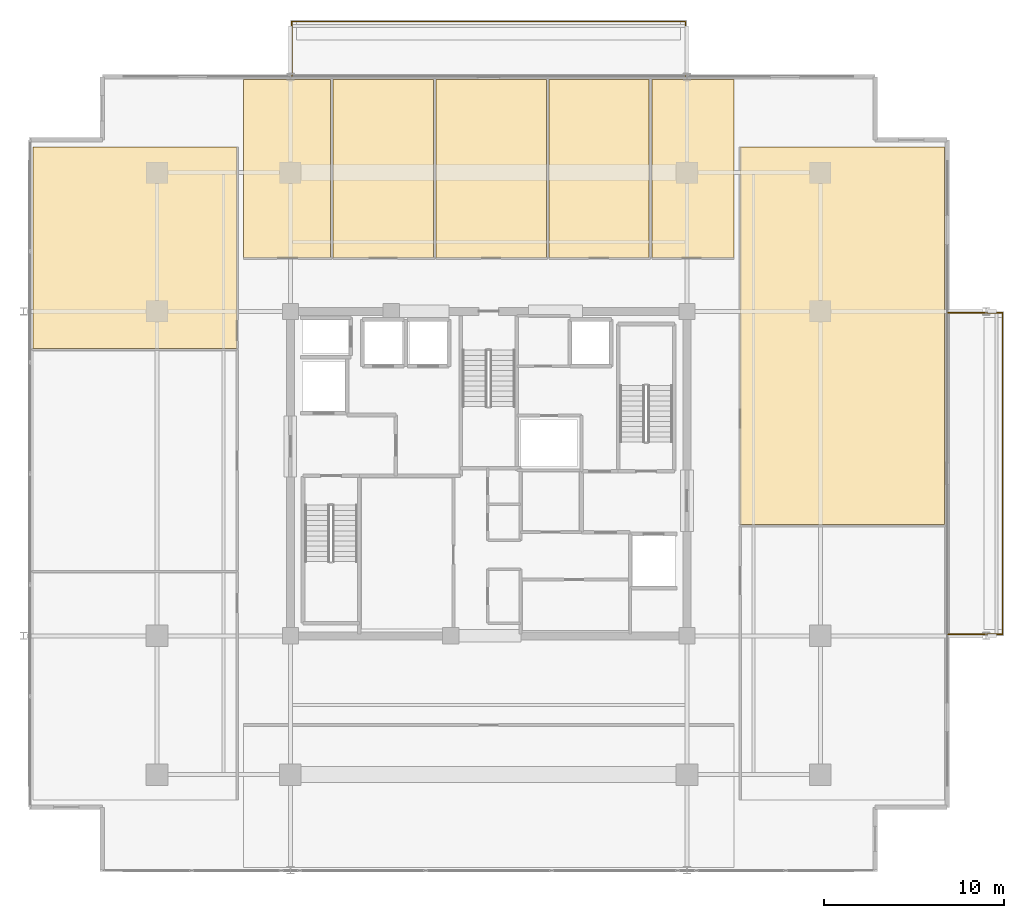
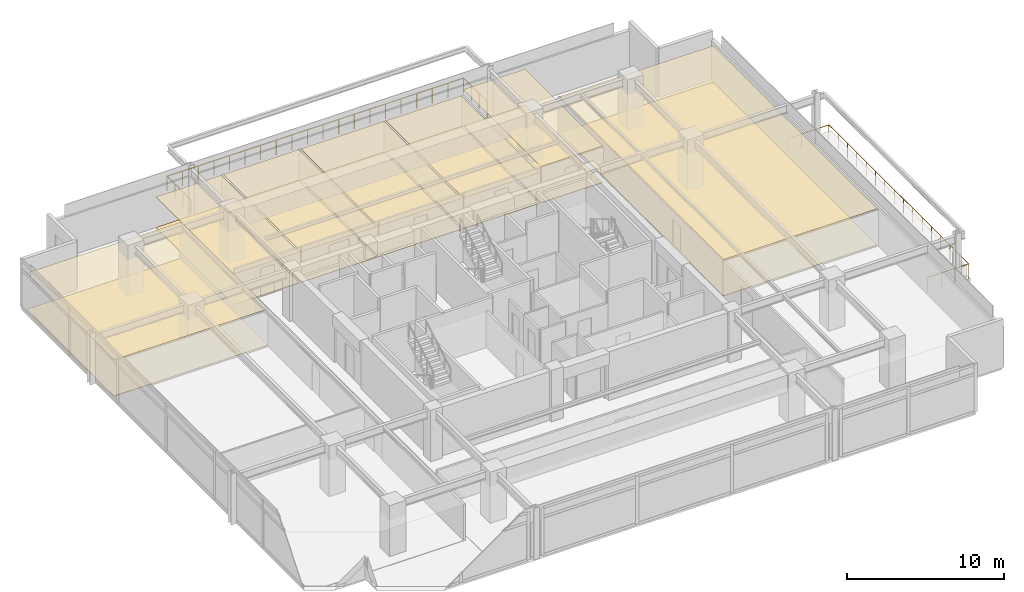
# One storey, part 20 of 20: 14 coverings, 2 railings.
"""IFC4 building model written with IfcOpenShell, lengths in metres."""

from ifc_helpers import new_model, si_unit, direction, frame, origin, origin_2d, place, context, subcontext, project, spatial, polyline, circle, outline, extrude, material, layer, layer_set, type_object, element, save


model = new_model("IFC4")

# Units and contexts
model_context = context("Model", 3, precision=1e-05, world=origin(), true_north=direction((0.0, 1.0)))
body_context = subcontext(model_context, "Body", "Model", "MODEL_VIEW")
ifc_project = project(units=[si_unit("LENGTHUNIT", "METRE"), si_unit("AREAUNIT", "SQUARE_METRE"), si_unit("VOLUMEUNIT", "CUBIC_METRE"), si_unit("PLANEANGLEUNIT", "RADIAN"), si_unit("MASSUNIT", "GRAM", prefix="KILO")], contexts=[model_context])

# Site, building, storey
site_placement = place(None, origin())
site = spatial("IfcSite", under=ifc_project, at=site_placement, CompositionType="ELEMENT")
building_placement = place(site_placement, origin())
building = spatial("IfcBuilding", under=site, at=building_placement, Name="Kovane Verandah Tower", CompositionType="ELEMENT")
storey_placement = place(building_placement, frame((0.0, 0.0, 287.199951171875)))
storey = spatial("IfcBuildingStorey", under=building, at=storey_placement, Name="L67", CompositionType="ELEMENT", Elevation=287.199951171875)

# Coverings
ifc_material_1 = material(Name="Perforated Acoustic Mineral-Fibre Ceiling Tile", Category="gypsum")
ifc_layer_1 = layer(ifc_material_1, 0.02490234375)
ifc_layer_set_1 = layer_set([ifc_layer_1], Name="Perforated Acoustic Mineral-Fibre Ceiling Tile")
covering_type_1 = type_object("IfcCoveringType", Name="CV-CEIL-25", PredefinedType="CEILING", material=ifc_layer_set_1)
covering_1_placement = place(storey_placement, frame((0.0, 0.0, 2.39013671875)))
element("IfcCovering", 1, at=covering_1_placement, inside=storey, type_object=covering_type_1, Name="L67 Executive Office N1 Acoustic Ceiling", PredefinedType="CEILING", context=body_context, shape_type="SweptSolid", body=[
    extrude(outline(polyline([(26.39990234375, 39.449951171875), (31.22607421875, 39.449951171875), (31.22607421875, 49.3642578125), (26.39990234375, 49.3642578125), (26.39990234375, 39.449951171875)])), origin(), (0.0, 0.0, 1.0), 0.02490234375),
])
covering_2_placement = place(storey_placement, frame((0.0, 0.0, 2.39013671875)))
element("IfcCovering", 2, at=covering_2_placement, inside=storey, type_object=covering_type_1, Name="L67 Client Boardroom N2 Acoustic Ceiling", PredefinedType="CEILING", context=body_context, shape_type="SweptSolid", body=[
    extrude(outline(polyline([(31.365966796875, 39.449951171875), (36.93798828125, 39.449951171875), (36.93798828125, 49.3642578125), (31.365966796875, 49.3642578125), (31.365966796875, 39.449951171875)])), origin(), (0.0, 0.0, 1.0), 0.02490234375),
])
covering_3_placement = place(storey_placement, frame((0.0, 0.0, 2.39013671875)))
element("IfcCovering", 3, at=covering_3_placement, inside=storey, type_object=covering_type_1, Name="L67 Meeting Room N3 Acoustic Ceiling", PredefinedType="CEILING", context=body_context, shape_type="SweptSolid", body=[
    extrude(outline(polyline([(37.077880859375, 39.449951171875), (43.194091796875, 39.449951171875), (43.194091796875, 49.3642578125), (37.077880859375, 49.3642578125), (37.077880859375, 39.449951171875)])), origin(), (0.0, 0.0, 1.0), 0.02490234375),
])
covering_4_placement = place(storey_placement, frame((0.0, 0.0, 2.39013671875)))
element("IfcCovering", 4, at=covering_4_placement, inside=storey, type_object=covering_type_1, Name="L67 Focus Studio N4 Acoustic Ceiling", PredefinedType="CEILING", context=body_context, shape_type="SweptSolid", body=[
    extrude(outline(polyline([(43.333984375, 39.449951171875), (48.906005859375, 39.449951171875), (48.906005859375, 49.3642578125), (43.333984375, 49.3642578125), (43.333984375, 39.449951171875)])), origin(), (0.0, 0.0, 1.0), 0.02490234375),
])
covering_5_placement = place(storey_placement, frame((0.0, 0.0, 2.824951171875)))
element("IfcCovering", 5, at=covering_5_placement, inside=storey, type_object=covering_type_1, Name="L67 Breakout Pantry N5 Acoustic Ceiling", PredefinedType="CEILING", context=body_context, shape_type="SweptSolid", body=[
    extrude(outline(polyline([(49.0458984375, 39.449951171875), (53.60009765625, 39.449951171875), (53.60009765625, 49.3642578125), (49.0458984375, 49.3642578125), (49.0458984375, 39.449951171875)])), origin(), (0.0, 0.0, 1.0), 0.025146484375),
])
covering_6_placement = place(storey_placement, frame((0.0, 0.0, 2.824951171875)))
element("IfcCovering", 6, at=covering_6_placement, inside=storey, type_object=covering_type_1, Name="L67 Executive Office W3 Acoustic Ceiling", PredefinedType="CEILING", context=body_context, shape_type="SweptSolid", body=[
    extrude(outline(polyline([(14.712646484375, 34.453369140625), (26.050048828125, 34.453369140625), (26.050048828125, 45.6142578125), (14.712646484375, 45.6142578125), (14.712646484375, 34.453369140625)])), origin(), (0.0, 0.0, 1.0), 0.025146484375),
])
covering_7_placement = place(storey_placement, frame((0.0, 0.0, 2.824951171875)))
element("IfcCovering", 7, at=covering_7_placement, inside=storey, type_object=covering_type_1, Name="L67 Meeting Room E2 Acoustic Ceiling", PredefinedType="CEILING", context=body_context, shape_type="SweptSolid", body=[
    extrude(outline(polyline([(53.949951171875, 24.671630859375), (65.287353515625, 24.671630859375), (65.287353515625, 45.6142578125), (53.949951171875, 45.6142578125), (53.949951171875, 24.671630859375)])), origin(), (0.0, 0.0, 1.0), 0.025146484375),
])
ifc_material_2 = material(Name="Polished Terrazzo and Raised-Access Carpet Tile Finish", Category="concrete")
ifc_layer_2 = layer(ifc_material_2, 0.030029296875)
ifc_layer_set_2 = layer_set([ifc_layer_2], Name="Polished Terrazzo and Raised-Access Carpet Tile Finish")
covering_type_2 = type_object("IfcCoveringType", Name="CV-FLOR-30", PredefinedType="FLOORING", material=ifc_layer_set_2)
covering_8_placement = place(storey_placement, origin())
element("IfcCovering", 8, at=covering_8_placement, inside=storey, type_object=covering_type_2, Name="L67 Executive Office N1 Floor Finish", PredefinedType="FLOORING", context=body_context, shape_type="SweptSolid", body=[
    extrude(outline(polyline([(26.39990234375, 39.449951171875), (31.22607421875, 39.449951171875), (31.22607421875, 49.3642578125), (26.39990234375, 49.3642578125), (26.39990234375, 39.449951171875)])), origin(), (0.0, 0.0, 1.0), 0.030029296875),
])
covering_9_placement = place(storey_placement, origin())
element("IfcCovering", 9, at=covering_9_placement, inside=storey, type_object=covering_type_2, Name="L67 Client Boardroom N2 Floor Finish", PredefinedType="FLOORING", context=body_context, shape_type="SweptSolid", body=[
    extrude(outline(polyline([(31.365966796875, 39.449951171875), (36.93798828125, 39.449951171875), (36.93798828125, 49.3642578125), (31.365966796875, 49.3642578125), (31.365966796875, 39.449951171875)])), origin(), (0.0, 0.0, 1.0), 0.030029296875),
])
covering_10_placement = place(storey_placement, origin())
element("IfcCovering", 10, at=covering_10_placement, inside=storey, type_object=covering_type_2, Name="L67 Meeting Room N3 Floor Finish", PredefinedType="FLOORING", context=body_context, shape_type="SweptSolid", body=[
    extrude(outline(polyline([(37.077880859375, 39.449951171875), (43.194091796875, 39.449951171875), (43.194091796875, 49.3642578125), (37.077880859375, 49.3642578125), (37.077880859375, 39.449951171875)])), origin(), (0.0, 0.0, 1.0), 0.030029296875),
])
covering_11_placement = place(storey_placement, origin())
element("IfcCovering", 11, at=covering_11_placement, inside=storey, type_object=covering_type_2, Name="L67 Focus Studio N4 Floor Finish", PredefinedType="FLOORING", context=body_context, shape_type="SweptSolid", body=[
    extrude(outline(polyline([(43.333984375, 39.449951171875), (48.906005859375, 39.449951171875), (48.906005859375, 49.3642578125), (43.333984375, 49.3642578125), (43.333984375, 39.449951171875)])), origin(), (0.0, 0.0, 1.0), 0.030029296875),
])
covering_12_placement = place(storey_placement, origin())
element("IfcCovering", 12, at=covering_12_placement, inside=storey, type_object=covering_type_2, Name="L67 Breakout Pantry N5 Floor Finish", PredefinedType="FLOORING", context=body_context, shape_type="SweptSolid", body=[
    extrude(outline(polyline([(49.0458984375, 39.449951171875), (53.60009765625, 39.449951171875), (53.60009765625, 49.3642578125), (49.0458984375, 49.3642578125), (49.0458984375, 39.449951171875)])), origin(), (0.0, 0.0, 1.0), 0.030029296875),
])
covering_13_placement = place(storey_placement, origin())
element("IfcCovering", 13, at=covering_13_placement, inside=storey, type_object=covering_type_2, Name="L67 Executive Office W3 Floor Finish", PredefinedType="FLOORING", context=body_context, shape_type="SweptSolid", body=[
    extrude(outline(polyline([(14.712646484375, 34.453369140625), (26.050048828125, 34.453369140625), (26.050048828125, 45.6142578125), (14.712646484375, 45.6142578125), (14.712646484375, 34.453369140625)])), origin(), (0.0, 0.0, 1.0), 0.030029296875),
])
covering_14_placement = place(storey_placement, origin())
element("IfcCovering", 14, at=covering_14_placement, inside=storey, type_object=covering_type_2, Name="L67 Meeting Room E2 Floor Finish", PredefinedType="FLOORING", context=body_context, shape_type="SweptSolid", body=[
    extrude(outline(polyline([(53.949951171875, 24.671630859375), (65.287353515625, 24.671630859375), (65.287353515625, 45.6142578125), (53.949951171875, 45.6142578125), (53.949951171875, 24.671630859375)])), origin(), (0.0, 0.0, 1.0), 0.030029296875),
])

# Railings
ifc_material_3 = material(Name="Laminated Glass and Pale-Champagne Stainless Balustrade", Category="glass")
railing_type = type_object("IfcRailingType", Name="RL-BAL-1150", PredefinedType="BALUSTRADE", material=ifc_material_3)
railing_1_placement = place(storey_placement, frame((29.080078125, 49.564208984375, 0.0)))
element("IfcRailing", 15, at=railing_1_placement, inside=storey, type_object=railing_type, Name="L67 N Verandah Glass Balustrade", PredefinedType="BALUSTRADE", context=body_context, shape_type="SweptSolid", body=[
    extrude(circle(Radius=0.02392578125, at=origin_2d()), frame((0.0, 0.0, 1.1259765625), z_axis=(0.0, 1.0, 0.0), x_axis=(-1.0, 0.0, 0.0)), (0.0, 0.0, 1.0), 3.02001953125),
    extrude(circle(Radius=0.02392578125, at=origin_2d()), frame((0.0, 3.02001953125, 1.1259765625), z_axis=(1.0, 0.0, 0.0), x_axis=(0.0, 1.0, 0.0)), (0.0, 0.0, 1.0), 21.83984375),
    extrude(circle(Radius=0.02392578125, at=origin_2d()), frame((21.83984375, 3.02001953125, 1.1259765625), z_axis=(0.0, -1.0, 0.0), x_axis=(1.0, 0.0, 0.0)), (0.0, 0.0, 1.0), 3.02001953125),
    extrude(circle(Radius=0.02099609375, at=origin_2d()), origin(), (0.0, 0.0, 1.0), 1.101806640625),
    extrude(circle(Radius=0.02099609375, at=origin_2d()), frame((0.0, 1.006591796875, 0.0)), (0.0, 0.0, 1.0), 1.101806640625),
    extrude(circle(Radius=0.02099609375, at=origin_2d()), frame((0.0, 2.013427734375, 0.0)), (0.0, 0.0, 1.0), 1.101806640625),
    extrude(circle(Radius=0.02099609375, at=origin_2d()), frame((0.0, 3.02001953125, 0.0)), (0.0, 0.0, 1.0), 1.101806640625),
    extrude(circle(Radius=0.02099609375, at=origin_2d()), frame((1.1494140625, 3.02001953125, 0.0)), (0.0, 0.0, 1.0), 1.101806640625),
    extrude(circle(Radius=0.02099609375, at=origin_2d()), frame((2.298828125, 3.02001953125, 0.0)), (0.0, 0.0, 1.0), 1.101806640625),
    extrude(circle(Radius=0.02099609375, at=origin_2d()), frame((3.448486328125, 3.02001953125, 0.0)), (0.0, 0.0, 1.0), 1.101806640625),
    extrude(circle(Radius=0.02099609375, at=origin_2d()), frame((4.597900390625, 3.02001953125, 0.0)), (0.0, 0.0, 1.0), 1.101806640625),
    extrude(circle(Radius=0.02099609375, at=origin_2d()), frame((5.747314453125, 3.02001953125, 0.0)), (0.0, 0.0, 1.0), 1.101806640625),
    extrude(circle(Radius=0.02099609375, at=origin_2d()), frame((6.896728515625, 3.02001953125, 0.0)), (0.0, 0.0, 1.0), 1.101806640625),
    extrude(circle(Radius=0.02099609375, at=origin_2d()), frame((8.046142578125, 3.02001953125, 0.0)), (0.0, 0.0, 1.0), 1.101806640625),
    extrude(circle(Radius=0.02099609375, at=origin_2d()), frame((9.19580078125, 3.02001953125, 0.0)), (0.0, 0.0, 1.0), 1.101806640625),
    extrude(circle(Radius=0.02099609375, at=origin_2d()), frame((10.34521484375, 3.02001953125, 0.0)), (0.0, 0.0, 1.0), 1.101806640625),
    extrude(circle(Radius=0.02099609375, at=origin_2d()), frame((11.49462890625, 3.02001953125, 0.0)), (0.0, 0.0, 1.0), 1.101806640625),
    extrude(circle(Radius=0.02099609375, at=origin_2d()), frame((12.64404296875, 3.02001953125, 0.0)), (0.0, 0.0, 1.0), 1.101806640625),
    extrude(circle(Radius=0.02099609375, at=origin_2d()), frame((13.793701171875, 3.02001953125, 0.0)), (0.0, 0.0, 1.0), 1.101806640625),
    extrude(circle(Radius=0.02099609375, at=origin_2d()), frame((14.943115234375, 3.02001953125, 0.0)), (0.0, 0.0, 1.0), 1.101806640625),
    extrude(circle(Radius=0.02099609375, at=origin_2d()), frame((16.092529296875, 3.02001953125, 0.0)), (0.0, 0.0, 1.0), 1.101806640625),
    extrude(circle(Radius=0.02099609375, at=origin_2d()), frame((17.241943359375, 3.02001953125, 0.0)), (0.0, 0.0, 1.0), 1.101806640625),
    extrude(circle(Radius=0.02099609375, at=origin_2d()), frame((18.391357421875, 3.02001953125, 0.0)), (0.0, 0.0, 1.0), 1.101806640625),
    extrude(circle(Radius=0.02099609375, at=origin_2d()), frame((19.541015625, 3.02001953125, 0.0)), (0.0, 0.0, 1.0), 1.101806640625),
    extrude(circle(Radius=0.02099609375, at=origin_2d()), frame((20.6904296875, 3.02001953125, 0.0)), (0.0, 0.0, 1.0), 1.101806640625),
    extrude(circle(Radius=0.02099609375, at=origin_2d()), frame((21.83984375, 3.02001953125, 0.0)), (0.0, 0.0, 1.0), 1.101806640625),
    extrude(circle(Radius=0.02099609375, at=origin_2d()), frame((21.83984375, 2.013427734375, 0.0)), (0.0, 0.0, 1.0), 1.101806640625),
    extrude(circle(Radius=0.02099609375, at=origin_2d()), frame((21.83984375, 1.006591796875, 0.0)), (0.0, 0.0, 1.0), 1.101806640625),
    extrude(circle(Radius=0.02099609375, at=origin_2d()), frame((21.83984375, 0.0, 0.0)), (0.0, 0.0, 1.0), 1.101806640625),
])
railing_2_placement = place(storey_placement, frame((65.4873046875, 18.580078125, 0.0)))
element("IfcRailing", 16, at=railing_2_placement, inside=storey, type_object=railing_type, Name="L67 E Verandah Glass Balustrade", PredefinedType="BALUSTRADE", context=body_context, shape_type="SweptSolid", body=[
    extrude(circle(Radius=0.02392578125, at=origin_2d()), frame((0.0, 0.0, 1.1259765625), z_axis=(1.0, 0.0, 0.0), x_axis=(0.0, 1.0, 0.0)), (0.0, 0.0, 1.0), 3.02001953125),
    extrude(circle(Radius=0.02392578125, at=origin_2d()), frame((3.02001953125, 0.0, 1.1259765625), z_axis=(0.0, 1.0, 0.0), x_axis=(-1.0, 0.0, 0.0)), (0.0, 0.0, 1.0), 17.83984375),
    extrude(circle(Radius=0.02392578125, at=origin_2d()), frame((3.02001953125, 17.83984375, 1.1259765625), z_axis=(-1.0, 0.0, 0.0), x_axis=(0.0, -1.0, 0.0)), (0.0, 0.0, 1.0), 3.02001953125),
    extrude(circle(Radius=0.02099609375, at=origin_2d()), origin(), (0.0, 0.0, 1.0), 1.101806640625),
    extrude(circle(Radius=0.02099609375, at=origin_2d()), frame((1.006591796875, 0.0, 0.0)), (0.0, 0.0, 1.0), 1.101806640625),
    extrude(circle(Radius=0.02099609375, at=origin_2d()), frame((2.013427734375, 0.0, 0.0)), (0.0, 0.0, 1.0), 1.101806640625),
    extrude(circle(Radius=0.02099609375, at=origin_2d()), frame((3.02001953125, 0.0, 0.0)), (0.0, 0.0, 1.0), 1.101806640625),
    extrude(circle(Radius=0.02099609375, at=origin_2d()), frame((3.02001953125, 1.189208984375, 0.0)), (0.0, 0.0, 1.0), 1.101806640625),
    extrude(circle(Radius=0.02099609375, at=origin_2d()), frame((3.02001953125, 2.378662109375, 0.0)), (0.0, 0.0, 1.0), 1.101806640625),
    extrude(circle(Radius=0.02099609375, at=origin_2d()), frame((3.02001953125, 3.56787109375, 0.0)), (0.0, 0.0, 1.0), 1.101806640625),
    extrude(circle(Radius=0.02099609375, at=origin_2d()), frame((3.02001953125, 4.75732421875, 0.0)), (0.0, 0.0, 1.0), 1.101806640625),
    extrude(circle(Radius=0.02099609375, at=origin_2d()), frame((3.02001953125, 5.946533203125, 0.0)), (0.0, 0.0, 1.0), 1.101806640625),
    extrude(circle(Radius=0.02099609375, at=origin_2d()), frame((3.02001953125, 7.135986328125, 0.0)), (0.0, 0.0, 1.0), 1.101806640625),
    extrude(circle(Radius=0.02099609375, at=origin_2d()), frame((3.02001953125, 8.3251953125, 0.0)), (0.0, 0.0, 1.0), 1.101806640625),
    extrude(circle(Radius=0.02099609375, at=origin_2d()), frame((3.02001953125, 9.5146484375, 0.0)), (0.0, 0.0, 1.0), 1.101806640625),
    extrude(circle(Radius=0.02099609375, at=origin_2d()), frame((3.02001953125, 10.703857421875, 0.0)), (0.0, 0.0, 1.0), 1.101806640625),
    extrude(circle(Radius=0.02099609375, at=origin_2d()), frame((3.02001953125, 11.893310546875, 0.0)), (0.0, 0.0, 1.0), 1.101806640625),
    extrude(circle(Radius=0.02099609375, at=origin_2d()), frame((3.02001953125, 13.08251953125, 0.0)), (0.0, 0.0, 1.0), 1.101806640625),
    extrude(circle(Radius=0.02099609375, at=origin_2d()), frame((3.02001953125, 14.27197265625, 0.0)), (0.0, 0.0, 1.0), 1.101806640625),
    extrude(circle(Radius=0.02099609375, at=origin_2d()), frame((3.02001953125, 15.461181640625, 0.0)), (0.0, 0.0, 1.0), 1.101806640625),
    extrude(circle(Radius=0.02099609375, at=origin_2d()), frame((3.02001953125, 16.650634765625, 0.0)), (0.0, 0.0, 1.0), 1.101806640625),
    extrude(circle(Radius=0.02099609375, at=origin_2d()), frame((3.02001953125, 17.83984375, 0.0)), (0.0, 0.0, 1.0), 1.101806640625),
    extrude(circle(Radius=0.02099609375, at=origin_2d()), frame((2.013427734375, 17.83984375, 0.0)), (0.0, 0.0, 1.0), 1.101806640625),
    extrude(circle(Radius=0.02099609375, at=origin_2d()), frame((1.006591796875, 17.83984375, 0.0)), (0.0, 0.0, 1.0), 1.101806640625),
    extrude(circle(Radius=0.02099609375, at=origin_2d()), frame((0.0, 17.83984375, 0.0)), (0.0, 0.0, 1.0), 1.101806640625),
])

save(model, "model.ifc")
